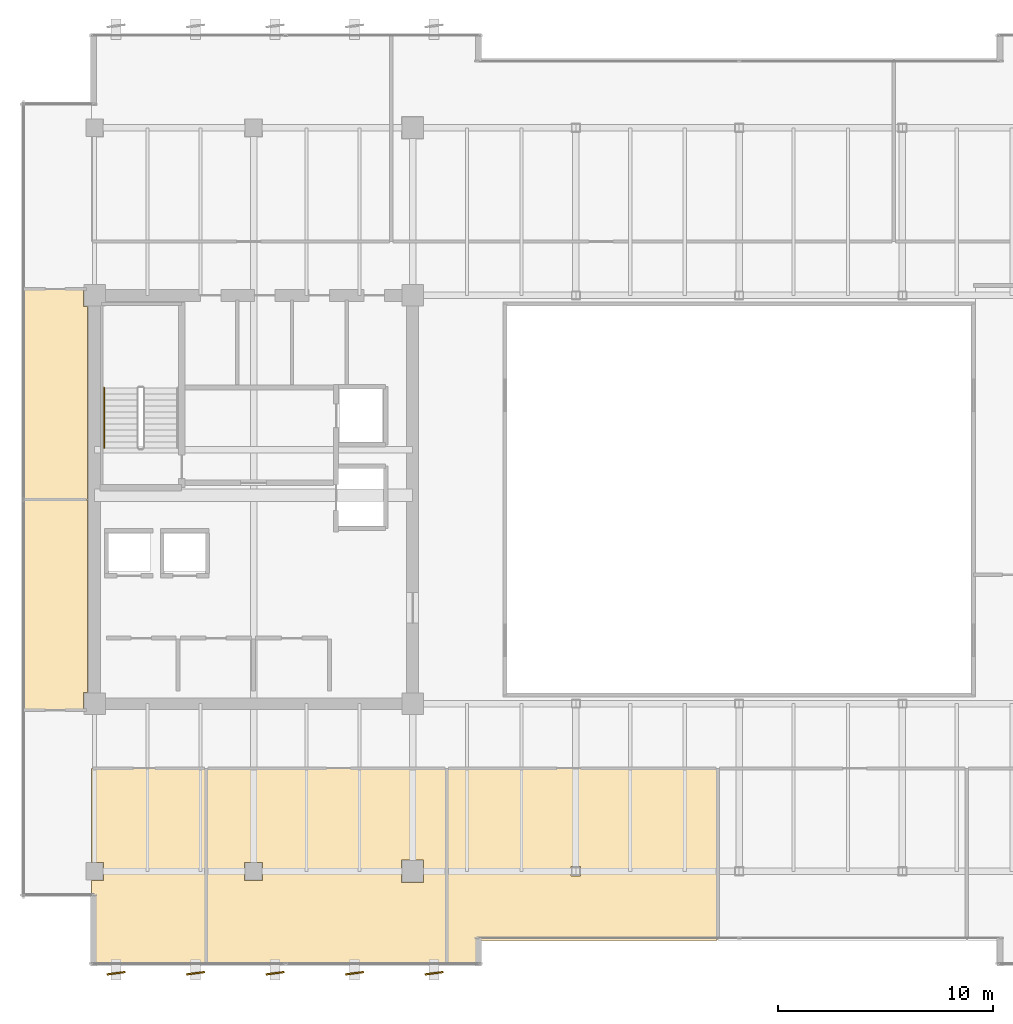
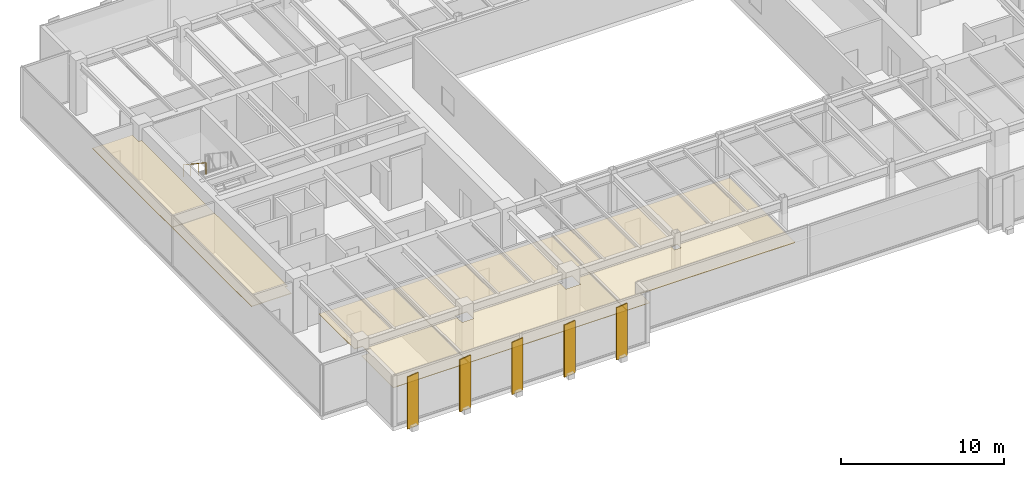
# One storey, part 32 of 36: 5 coverings, 5 shading devices, 1 railing.
"""IFC4 building model written with IfcOpenShell, lengths in metres."""

from ifc_helpers import new_model, si_unit, direction, frame, origin, origin_2d, place, context, subcontext, project, spatial, polyline, rectangle, circle, outline, extrude, source, transform, mapped, material, layer, layer_set, material_profile, profile_set, type_object, type_shapes, element, save


model = new_model("IFC4")

# Units and contexts
model_context = context("Model", 3, precision=1e-05, world=origin(), true_north=direction((0.0, 1.0)))
body_context = subcontext(model_context, "Body", "Model", "MODEL_VIEW")
ifc_project = project(units=[si_unit("LENGTHUNIT", "METRE"), si_unit("AREAUNIT", "SQUARE_METRE"), si_unit("VOLUMEUNIT", "CUBIC_METRE"), si_unit("PLANEANGLEUNIT", "RADIAN"), si_unit("MASSUNIT", "GRAM", prefix="KILO")], contexts=[model_context])

# Site, building, storey
site_placement = place(None, origin())
site = spatial("IfcSite", under=ifc_project, at=site_placement, CompositionType="ELEMENT")
building_placement = place(site_placement, origin())
building = spatial("IfcBuilding", under=site, at=building_placement, Name="Haelvirn Gate Laboratories", CompositionType="ELEMENT")
storey_placement = place(building_placement, frame((0.0, 0.0, 242.39990234375)))
storey = spatial("IfcBuildingStorey", under=building, at=storey_placement, Name="L58", CompositionType="ELEMENT", Elevation=242.39990234375)

# Coverings
ifc_material_1 = material(Name="Micro-perforated acoustic mineral-fibre laboratory ceiling")
ifc_layer = layer(ifc_material_1, 0.0400390625, Name="COV-CEIL-ACT")
ifc_layer_set = layer_set([ifc_layer], Name="Micro-perforated acoustic mineral-fibre laboratory ceiling")
covering_type = type_object("IfcCoveringType", Name="COV-CEIL-ACT", PredefinedType="CEILING", material=ifc_layer_set)
covering_1_placement = place(storey_placement, frame((0.0, 0.0, 2.880126953125)))
element("IfcCovering", 1, at=covering_1_placement, inside=storey, type_object=covering_type, Name="L58 Laboratory Acoustic Ceiling CEIL-SP-L58-S-01", PredefinedType="CEILING", context=body_context, shape_type="SweptSolid", body=[
    extrude(outline(polyline([(7.25, 11.780029296875), (12.580078125, 11.780029296875), (12.580078125, 2.64990234375), (7.25, 2.64990234375), (7.25, 6.580078125), (7.820068359375, 6.580078125), (7.820068359375, 7.419921875), (7.25, 7.419921875), (7.25, 11.780029296875)])), origin(), (0.0, 0.0, 1.0), 0.0400390625),
])
covering_2_placement = place(storey_placement, frame((0.0, 0.0, 2.880126953125)))
element("IfcCovering", 2, at=covering_2_placement, inside=storey, type_object=covering_type, Name="L58 Laboratory Acoustic Ceiling CEIL-SP-L58-S-02", PredefinedType="CEILING", context=body_context, shape_type="SweptSolid", body=[
    extrude(outline(polyline([(12.6201171875, 11.780029296875), (23.780029296875, 11.780029296875), (23.780029296875, 2.64990234375), (12.6201171875, 2.64990234375), (12.6201171875, 11.780029296875)]), holes=[polyline([(14.3798828125, 7.419921875), (14.3798828125, 6.580078125), (15.219970703125, 6.580078125), (15.219970703125, 7.419921875), (14.3798828125, 7.419921875)]), polyline([(22.719970703125, 7.52001953125), (21.679931640625, 7.52001953125), (21.679931640625, 6.47998046875), (22.719970703125, 6.47998046875), (22.719970703125, 7.52001953125)])]), origin(), (0.0, 0.0, 1.0), 0.0400390625),
])
covering_3_placement = place(storey_placement, frame((0.0, 0.0, 2.880126953125)))
element("IfcCovering", 3, at=covering_3_placement, inside=storey, type_object=covering_type, Name="L58 Laboratory Acoustic Ceiling CEIL-SP-L58-S-03", PredefinedType="CEILING", context=body_context, shape_type="SweptSolid", body=[
    extrude(outline(polyline([(25.419921875, 2.64990234375), (23.820068359375, 2.64990234375), (23.820068359375, 11.780029296875), (36.3798828125, 11.780029296875), (36.3798828125, 3.780029296875), (25.419921875, 3.780029296875), (25.419921875, 2.64990234375)]), holes=[polyline([(30.02001953125, 7.219970703125), (29.580078125, 7.219970703125), (29.580078125, 6.780029296875), (30.02001953125, 6.780029296875), (30.02001953125, 7.219970703125)])]), origin(), (0.0, 0.0, 1.0), 0.0400390625),
])
covering_4_placement = place(storey_placement, frame((0.0, 0.0, 2.880126953125)))
element("IfcCovering", 4, at=covering_4_placement, inside=storey, type_object=covering_type, Name="L58 Laboratory Acoustic Ceiling CEIL-SP-L58-WZ3-S", PredefinedType="CEILING", context=body_context, shape_type="SweptSolid", body=[
    extrude(outline(polyline([(7.080078125, 24.2900390625), (7.080078125, 15.320068359375), (6.8798828125, 15.320068359375), (6.8798828125, 14.52490234375), (4.050048828125, 14.52490234375), (4.050048828125, 24.2900390625), (7.080078125, 24.2900390625)])), origin(), (0.0, 0.0, 1.0), 0.0400390625),
])
covering_5_placement = place(storey_placement, frame((0.0, 0.0, 2.880126953125)))
element("IfcCovering", 5, at=covering_5_placement, inside=storey, type_object=covering_type, Name="L58 Laboratory Acoustic Ceiling CEIL-SP-L58-WZ3-N", PredefinedType="CEILING", context=body_context, shape_type="SweptSolid", body=[
    extrude(outline(polyline([(6.8798828125, 34.074951171875), (6.8798828125, 33.280029296875), (7.080078125, 33.280029296875), (7.080078125, 24.31005859375), (4.050048828125, 24.31005859375), (4.050048828125, 34.074951171875), (6.8798828125, 34.074951171875)])), origin(), (0.0, 0.0, 1.0), 0.0400390625),
])

# Shading devices
ifc_material_2 = material(Name="Extruded aluminium 6063-T6 (anodised bronze)", Category="aluminium")
ifc_material_profile = material_profile(ifc_material_2, rectangle(XDim=0.074951171875, YDim=0.85009765625, at=origin_2d()), Name="FIN-850x75")
ifc_profile_set = profile_set([ifc_material_profile], Name="Extruded aluminium 6063-T6 (anodised bronze)")
shading_device_type = type_object("IfcShadingDeviceType", Name="SHD-FIN-850", PredefinedType="USERDEFINED", material=ifc_profile_set)
shared_shape_1 = source(origin(), body_context, "Body", "SweptSolid", [
    extrude(rectangle(XDim=0.074951171875, YDim=0.85009765625, at=origin_2d()), origin(), (0.0, 0.0, 1.0), 3.919921875),
])
type_shapes(shading_device_type, [shared_shape_1])
for number, where, z_axis, x_axis, name in (
    (6, (8.39990234375, 2.2548828125, -0.179931640625), (0.0, 0.0, 1.0), (-0.132256390257, 0.991215540252, 0.0), "L58 Fluted Bronze Vertical Fin S01"),
    (7, (12.10009765625, 2.2548828125, -0.179931640625), (0.0, 0.0, 1.0), (-0.132256390257, 0.991215540252, 0.0), "L58 Fluted Bronze Vertical Fin S02"),
    (8, (15.800048828125, 2.2548828125, -0.179931640625), (0.0, 0.0, 1.0), (-0.132256390257, 0.991215540252, 0.0), "L58 Fluted Bronze Vertical Fin S03"),
    (9, (19.5, 2.2548828125, -0.179931640625), (0.0, 0.0, 1.0), (-0.132256390257, 0.991215540252, 0.0), "L58 Fluted Bronze Vertical Fin S04"),
    (10, (23.199951171875, 2.2548828125, -0.179931640625), (0.0, 0.0, 1.0), (-0.132256390257, 0.991215540252, 0.0), "L58 Fluted Bronze Vertical Fin S05"),
):
    element("IfcShadingDevice", number, at=place(storey_placement, frame(where, z_axis=z_axis, x_axis=x_axis)), inside=storey, type_object=shading_device_type, Name=name, ObjectType="FIN", PredefinedType="USERDEFINED", context=body_context, shape_type="MappedRepresentation", body=[
        mapped(shared_shape_1, transform((0.0, 0.0, 0.0), scale=1.0)),
    ])

# Railing
ifc_material_3 = material(Name="Brushed stainless steel 316L", Category="steel")
railing_type = type_object("IfcRailingType", Name="RL-HAND-920", PredefinedType="HANDRAIL", material=ifc_material_3)
shared_shape_2 = source(origin(), body_context, "Body", "SweptSolid", [
    extrude(circle(Radius=0.02392578125, at=origin_2d()), frame((0.0, 0.0, 0.8759765625), z_axis=(0.0, -0.832485552168, 0.554046753832), x_axis=(1.0, 0.0, 0.0)), (0.0, 0.0, 1.0), 3.363525390625),
    extrude(circle(Radius=0.02099609375, at=origin_2d()), origin(), (0.0, 0.0, 1.0), 0.851806640625),
    extrude(circle(Radius=0.02099609375, at=origin_2d()), frame((0.0, -0.933349609375, 0.62109375)), (0.0, 0.0, 1.0), 0.851806640625),
    extrude(circle(Radius=0.02099609375, at=origin_2d()), frame((0.0, -1.86669921875, 1.242431640625)), (0.0, 0.0, 1.0), 0.851806640625),
    extrude(circle(Radius=0.02099609375, at=origin_2d()), frame((0.0, -2.800048828125, 1.863525390625)), (0.0, 0.0, 1.0), 0.851806640625),
])
type_shapes(railing_type, [shared_shape_2])
railing_placement = place(storey_placement, frame((7.85009765625, 29.5, 2.236572265625)))
element("IfcRailing", 11, at=railing_placement, inside=storey, type_object=railing_type, Name="L58 ST1 stair handrail 2", PredefinedType="HANDRAIL", context=body_context, shape_type="MappedRepresentation", body=[
    mapped(shared_shape_2, transform((0.0, 0.0, 0.0), scale=1.0)),
])

save(model, "model.ifc")
